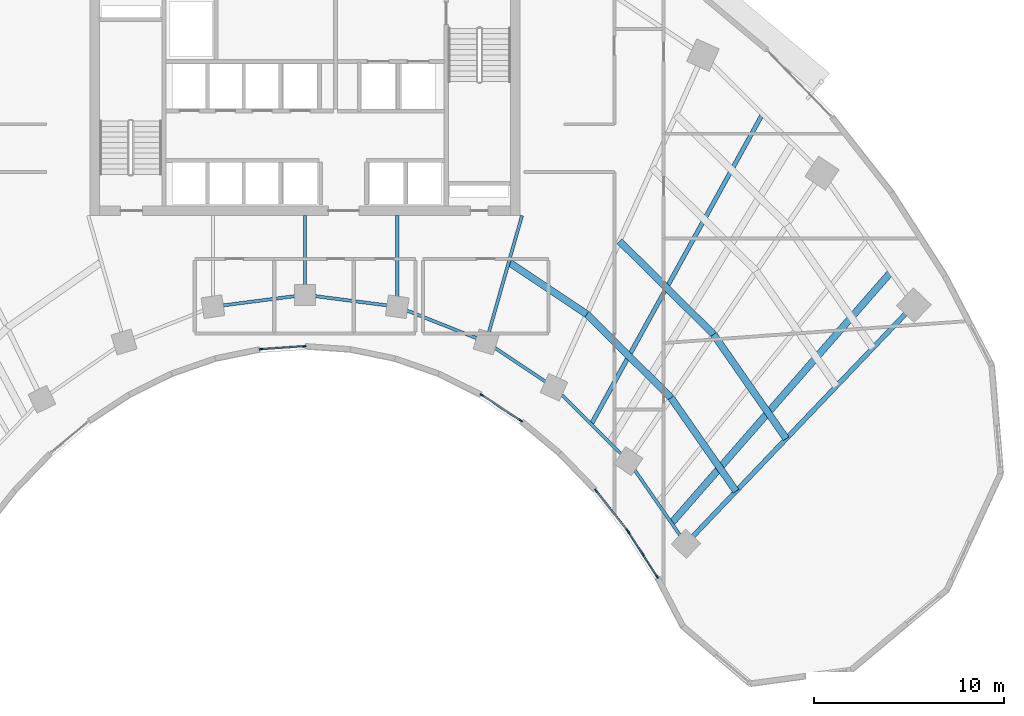
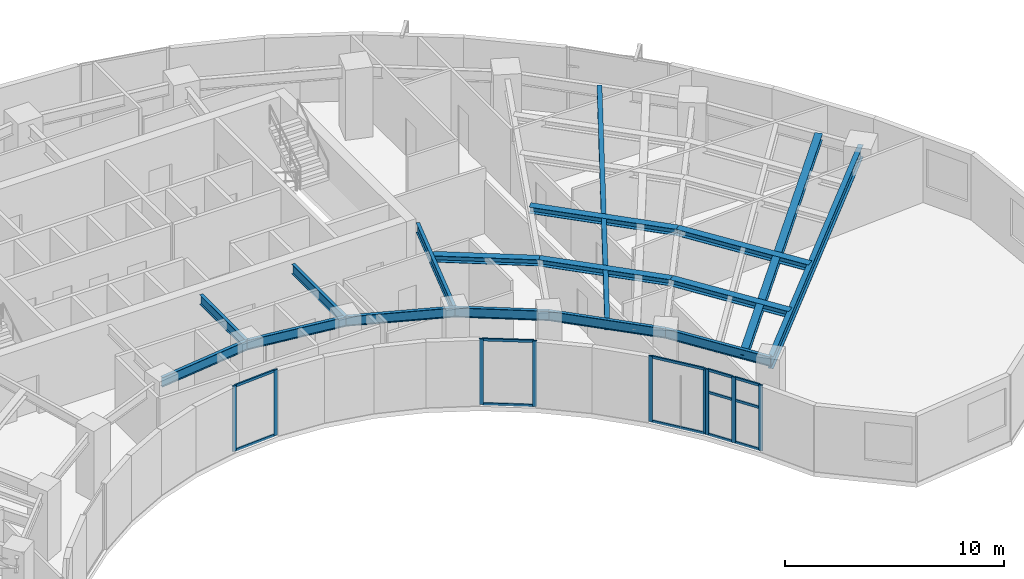
# One storey, part 3 of 13: 21 members, 17 beams, 4 elements without a shape of their own.
"""IFC4 building model written with IfcOpenShell, lengths in metres."""

from ifc_helpers import new_model, si_unit, direction, frame, origin, origin_2d, place, context, subcontext, project, spatial, rectangle, i_section, extrude, source, transform, mapped, material, layer, layer_set, material_profile, profile_set, type_object, type_shapes, element, aggregate, save


model = new_model("IFC4")

# Units and contexts
model_context = context("Model", 3, precision=1e-05, world=origin(), true_north=direction((0.0, 1.0)))
body_context = subcontext(model_context, "Body", "Model", "MODEL_VIEW")
ifc_project = project(units=[si_unit("LENGTHUNIT", "METRE"), si_unit("AREAUNIT", "SQUARE_METRE"), si_unit("VOLUMEUNIT", "CUBIC_METRE"), si_unit("PLANEANGLEUNIT", "RADIAN"), si_unit("MASSUNIT", "GRAM", prefix="KILO")], contexts=[model_context])

# Site, building, storey
site_placement = place(None, origin())
site = spatial("IfcSite", under=ifc_project, at=site_placement, CompositionType="ELEMENT")
building_placement = place(site_placement, origin())
building = spatial("IfcBuilding", under=site, at=building_placement, Name="Breltana Convention Tower", CompositionType="ELEMENT")
storey_placement = place(building_placement, frame((0.0, 0.0, 96.0)))
storey = spatial("IfcBuildingStorey", under=building, at=storey_placement, Name="L22", CompositionType="ELEMENT", Elevation=96.0)

# Beams
ifc_material_1 = material(Name="Steel ASTM A992 Grade 50", Category="steel")
ifc_material_profile_1 = material_profile(ifc_material_1, i_section(OverallWidth=0.25390625, OverallDepth=0.68798828125, WebThickness=0.01318359375, FlangeThickness=0.02099609375, at=origin_2d()), Name="W27X102")
ifc_profile_set_1 = profile_set([ifc_material_profile_1], Name="Steel ASTM A992 Grade 50")
beam_type_1 = type_object("IfcBeamType", Name="BM-RG-W27X102", PredefinedType="USERDEFINED", material=ifc_profile_set_1)
shared_shape_1 = source(origin(), body_context, "Body", "SweptSolid", [
    extrude(i_section(OverallWidth=0.25390625, OverallDepth=0.68798828125, WebThickness=0.01318359375, FlangeThickness=0.02099609375, at=origin_2d()), origin(), (0.0, 0.0, 1.0), 17.341064453125),
])
type_shapes(beam_type_1, [shared_shape_1])
beam_1_placement = place(storey_placement, frame((68.015380859375, 42.95458984375, 3.305908203125), z_axis=(0.690716462293, 0.723125693581, 0.0), x_axis=(-0.723125693581, 0.690716462293, 0.0)))
element("IfcBeam", 1, at=beam_1_placement, inside=storey, type_object=beam_type_1, Name="L22 Radial Floor Girder R11", ObjectType="GIRDER", PredefinedType="USERDEFINED", context=body_context, shape_type="MappedRepresentation", body=[
    mapped(shared_shape_1, transform((0.0, 0.0, 0.0), scale=1.0)),
])
ifc_material_profile_2 = material_profile(ifc_material_1, i_section(OverallWidth=0.166015625, OverallDepth=0.534912109375, WebThickness=0.01025390625, FlangeThickness=0.0166015625, at=origin_2d()), Name="W21X57")
ifc_profile_set_2 = profile_set([ifc_material_profile_2], Name="Steel ASTM A992 Grade 50")
beam_type_2 = type_object("IfcBeamType", Name="BM-BM-W21X57", PredefinedType="BEAM", material=ifc_profile_set_2)
shared_shape_2 = source(origin(), body_context, "Body", "SweptSolid", [
    extrude(i_section(OverallWidth=0.166015625, OverallDepth=0.534912109375, WebThickness=0.01025390625, FlangeThickness=0.0166015625, at=origin_2d()), origin(), (0.0, 0.0, 1.0), 6.904541015625),
])
type_shapes(beam_type_2, [shared_shape_2])
beam_2_placement = place(storey_placement, frame((59.39990234375, 60.199951171875, 3.382568359375), z_axis=(-0.273006781054, -0.962012108811, 0.0), x_axis=(0.962012108811, -0.273006781054, 0.0)))
element("IfcBeam", 2, at=beam_2_placement, inside=storey, type_object=beam_type_2, Name="L22 South Core Tie Girder R08", PredefinedType="BEAM", context=body_context, shape_type="MappedRepresentation", body=[
    mapped(shared_shape_2, transform((0.0, 0.0, 0.0), scale=1.0)),
])
shared_shape_3 = source(origin(), body_context, "Body", "SweptSolid", [
    extrude(i_section(OverallWidth=0.166015625, OverallDepth=0.534912109375, WebThickness=0.01025390625, FlangeThickness=0.0166015625, at=origin_2d()), origin(), (0.0, 0.0, 1.0), 4.789306640625),
])
beam_3_placement = place(storey_placement, frame((52.846435546875, 60.199951171875, 3.382568359375), z_axis=(0.0, -1.0, 0.0), x_axis=(1.0, 0.0, 0.0)))
element("IfcBeam", 3, at=beam_3_placement, inside=storey, type_object=beam_type_2, Name="L22 South Core Tie Girder R07", PredefinedType="BEAM", context=body_context, shape_type="MappedRepresentation", body=[
    mapped(shared_shape_3, transform((0.0, 0.0, 0.0), scale=1.0)),
])
shared_shape_4 = source(origin(), body_context, "Body", "SweptSolid", [
    extrude(i_section(OverallWidth=0.166015625, OverallDepth=0.534912109375, WebThickness=0.01025390625, FlangeThickness=0.0166015625, at=origin_2d()), origin(), (0.0, 0.0, 1.0), 4.1640625),
])
beam_4_placement = place(storey_placement, frame((48.0, 60.199951171875, 3.382568359375), z_axis=(0.0, -1.0, 0.0), x_axis=(1.0, 0.0, 0.0)))
element("IfcBeam", 4, at=beam_4_placement, inside=storey, type_object=beam_type_2, Name="L22 South Core Tie Girder R06", PredefinedType="BEAM", context=body_context, shape_type="MappedRepresentation", body=[
    mapped(shared_shape_4, transform((0.0, 0.0, 0.0), scale=1.0)),
])
shared_shape_5 = source(origin(), body_context, "Body", "SweptSolid", [
    extrude(i_section(OverallWidth=0.166015625, OverallDepth=0.534912109375, WebThickness=0.01025390625, FlangeThickness=0.0166015625, at=origin_2d()), origin(), (0.0, 0.0, 1.0), 5.022705078125),
])
beam_5_placement = place(storey_placement, frame((52.846435546875, 55.41064453125, 3.382568359375), z_axis=(0.929458966248, -0.368925507469, 0.0), x_axis=(0.368925507469, 0.929458966248, 0.0)))
element("IfcBeam", 5, at=beam_5_placement, inside=storey, type_object=beam_type_2, Name="L22 Inner Ring Beam 07", PredefinedType="BEAM", context=body_context, shape_type="MappedRepresentation", body=[
    mapped(shared_shape_5, transform((0.0, 0.0, 0.0), scale=1.0)),
])
shared_shape_6 = source(origin(), body_context, "Body", "SweptSolid", [
    extrude(i_section(OverallWidth=0.166015625, OverallDepth=0.534912109375, WebThickness=0.01025390625, FlangeThickness=0.0166015625, at=origin_2d()), origin(), (0.0, 0.0, 1.0), 4.88671875),
])
for number, where, z_axis, x_axis, name in (
    (6, (43.153564453125, 55.41064453125, 3.382568359375), (0.991780525565, 0.127950729231, 0.0), (-0.127950729231, 0.991780525565, 0.0), "L22 Inner Ring Beam 05"),
    (7, (48.0, 56.035888671875, 3.382568359375), (0.991780525565, -0.127950729231, 0.0), (0.127950729231, 0.991780525565, 0.0), "L22 Inner Ring Beam 06"),
):
    element("IfcBeam", number, at=place(storey_placement, frame(where, z_axis=z_axis, x_axis=x_axis)), inside=storey, type_object=beam_type_2, Name=name, PredefinedType="BEAM", context=body_context, shape_type="MappedRepresentation", body=[
        mapped(shared_shape_6, transform((0.0, 0.0, 0.0), scale=1.0)),
    ])
shared_shape_7 = source(origin(), body_context, "Body", "SweptSolid", [
    extrude(i_section(OverallWidth=0.166015625, OverallDepth=0.534912109375, WebThickness=0.01025390625, FlangeThickness=0.0166015625, at=origin_2d()), origin(), (0.0, 0.0, 1.0), 4.2900390625),
])
beam_6_placement = place(storey_placement, frame((57.514892578125, 53.5576171875, 3.382568359375), z_axis=(0.831515827753, -0.555501060482, 0.0), x_axis=(0.555501060482, 0.831515827753, 0.0)))
element("IfcBeam", 8, at=beam_6_placement, inside=storey, type_object=beam_type_2, Name="L22 Inner Ring Beam 08", PredefinedType="BEAM", context=body_context, shape_type="MappedRepresentation", body=[
    mapped(shared_shape_7, transform((0.0, 0.0, 0.0), scale=1.0)),
])
shared_shape_8 = source(origin(), body_context, "Body", "SweptSolid", [
    extrude(i_section(OverallWidth=0.166015625, OverallDepth=0.534912109375, WebThickness=0.01025390625, FlangeThickness=0.0166015625, at=origin_2d()), origin(), (0.0, 0.0, 1.0), 5.51171875),
])
beam_7_placement = place(storey_placement, frame((61.08203125, 51.174560546875, 3.382568359375), z_axis=(0.710090360749, -0.704110559196, 0.0), x_axis=(0.704110559196, 0.710090360749, 0.0)))
element("IfcBeam", 9, at=beam_7_placement, inside=storey, type_object=beam_type_2, Name="L22 Inner Ring Beam 09", PredefinedType="BEAM", context=body_context, shape_type="MappedRepresentation", body=[
    mapped(shared_shape_8, transform((0.0, 0.0, 0.0), scale=1.0)),
])
shared_shape_9 = source(origin(), body_context, "Body", "SweptSolid", [
    extrude(i_section(OverallWidth=0.166015625, OverallDepth=0.534912109375, WebThickness=0.01025390625, FlangeThickness=0.0166015625, at=origin_2d()), origin(), (0.0, 0.0, 1.0), 5.286376953125),
])
beam_8_placement = place(storey_placement, frame((64.995849609375, 47.293701171875, 3.382568359375), z_axis=(0.571194382458, -0.82081482531, 0.0), x_axis=(0.82081482531, 0.571194382458, 0.0)))
element("IfcBeam", 10, at=beam_8_placement, inside=storey, type_object=beam_type_2, Name="L22 Inner Ring Beam 10", PredefinedType="BEAM", context=body_context, shape_type="MappedRepresentation", body=[
    mapped(shared_shape_9, transform((0.0, 0.0, 0.0), scale=1.0)),
])
ifc_material_profile_3 = material_profile(ifc_material_1, i_section(OverallWidth=0.368896484375, OverallDepth=0.35595703125, WebThickness=0.01123046875, FlangeThickness=0.01806640625, at=origin_2d()), Name="W14X90")
ifc_profile_set_3 = profile_set([ifc_material_profile_3], Name="Steel ASTM A992 Grade 50")
beam_type_3 = type_object("IfcBeamType", Name="BM-JSG-09", PredefinedType="JOIST", material=ifc_profile_set_3)
shared_shape_10 = source(origin(), body_context, "Body", "SweptSolid", [
    extrude(i_section(OverallWidth=0.368896484375, OverallDepth=0.35595703125, WebThickness=0.01123046875, FlangeThickness=0.01806640625, at=origin_2d()), origin(), (0.0, 0.0, 1.0), 4.854736328125),
])
beam_9_placement = place(storey_placement, frame((58.767578125, 57.71240234375, 3.471923828125), z_axis=(0.831485074305, -0.555547091801, 0.0), x_axis=(0.555547091801, 0.831485074305, 0.0)))
element("IfcBeam", 11, at=beam_9_placement, inside=storey, type_object=beam_type_3, Name="L22 Composite Floor Joist 08.1", PredefinedType="JOIST", context=body_context, shape_type="MappedRepresentation", body=[
    mapped(shared_shape_10, transform((0.0, 0.0, 0.0), scale=1.0)),
])
shared_shape_11 = source(origin(), body_context, "Body", "SweptSolid", [
    extrude(i_section(OverallWidth=0.368896484375, OverallDepth=0.35595703125, WebThickness=0.01123046875, FlangeThickness=0.01806640625, at=origin_2d()), origin(), (0.0, 0.0, 1.0), 6.2373046875),
])
beam_10_placement = place(storey_placement, frame((62.80419921875, 55.015380859375, 3.471923828125), z_axis=(0.710114292485, -0.704086423394, 0.0), x_axis=(0.704086423394, 0.710114292485, 0.0)))
element("IfcBeam", 12, at=beam_10_placement, inside=storey, type_object=beam_type_3, Name="L22 Composite Floor Joist 09.1", PredefinedType="JOIST", context=body_context, shape_type="MappedRepresentation", body=[
    mapped(shared_shape_11, transform((0.0, 0.0, 0.0), scale=1.0)),
])
shared_shape_12 = source(origin(), body_context, "Body", "SweptSolid", [
    extrude(i_section(OverallWidth=0.368896484375, OverallDepth=0.35595703125, WebThickness=0.01123046875, FlangeThickness=0.01806640625, at=origin_2d()), origin(), (0.0, 0.0, 1.0), 6.963134765625),
])
beam_11_placement = place(storey_placement, frame((64.526611328125, 58.8564453125, 3.471923828125), z_axis=(0.71009817493, -0.704102678564, 0.0), x_axis=(0.704102678564, 0.71009817493, 0.0)))
element("IfcBeam", 13, at=beam_11_placement, inside=storey, type_object=beam_type_3, Name="L22 Composite Floor Joist 09.2", PredefinedType="JOIST", context=body_context, shape_type="MappedRepresentation", body=[
    mapped(shared_shape_12, transform((0.0, 0.0, 0.0), scale=1.0)),
])
ifc_material_profile_4 = material_profile(ifc_material_1, i_section(OverallWidth=0.22802734375, OverallDepth=0.60791015625, WebThickness=0.01123046875, FlangeThickness=0.017333984375, at=origin_2d()), Name="W24X76")
ifc_profile_set_4 = profile_set([ifc_material_profile_4], Name="Steel ASTM A992 Grade 50")
beam_type_4 = type_object("IfcBeamType", Name="BM-JSG-02", PredefinedType="JOIST", material=ifc_profile_set_4)
shared_shape_13 = source(origin(), body_context, "Body", "SweptSolid", [
    extrude(i_section(OverallWidth=0.22802734375, OverallDepth=0.60791015625, WebThickness=0.01123046875, FlangeThickness=0.017333984375, at=origin_2d()), origin(), (0.0, 0.0, 1.0), 18.617431640625),
])
beam_12_placement = place(storey_placement, frame((63.038818359375, 49.234130859375, 3.345947265625), z_axis=(0.483405602507, 0.875396495004, 0.0), x_axis=(-0.875396495004, 0.483405602507, 0.0)))
element("IfcBeam", 14, at=beam_12_placement, inside=storey, type_object=beam_type_4, Name="L22 Mid-Bay Radial Trimmer 09", PredefinedType="JOIST", context=body_context, shape_type="MappedRepresentation", body=[
    mapped(shared_shape_13, transform((0.0, 0.0, 0.0), scale=1.0)),
])
shared_shape_14 = source(origin(), body_context, "Body", "SweptSolid", [
    extrude(i_section(OverallWidth=0.368896484375, OverallDepth=0.35595703125, WebThickness=0.01123046875, FlangeThickness=0.01806640625, at=origin_2d()), origin(), (0.0, 0.0, 1.0), 5.982421875),
])
beam_13_placement = place(storey_placement, frame((67.2333984375, 50.623779296875, 3.471923828125), z_axis=(0.571211549446, -0.82080287876, 0.0), x_axis=(0.82080287876, 0.571211549446, 0.0)))
element("IfcBeam", 15, at=beam_13_placement, inside=storey, type_object=beam_type_3, Name="L22 Composite Floor Joist 10.1", PredefinedType="JOIST", context=body_context, shape_type="MappedRepresentation", body=[
    mapped(shared_shape_14, transform((0.0, 0.0, 0.0), scale=1.0)),
])
shared_shape_15 = source(origin(), body_context, "Body", "SweptSolid", [
    extrude(i_section(OverallWidth=0.368896484375, OverallDepth=0.35595703125, WebThickness=0.01123046875, FlangeThickness=0.01806640625, at=origin_2d()), origin(), (0.0, 0.0, 1.0), 6.677978515625),
])
beam_14_placement = place(storey_placement, frame((69.47119140625, 53.95361328125, 3.471923828125), z_axis=(0.571193018768, -0.820815774282, 0.0), x_axis=(0.820815774282, 0.571193018768, 0.0)))
element("IfcBeam", 16, at=beam_14_placement, inside=storey, type_object=beam_type_3, Name="L22 Composite Floor Joist 10.2", PredefinedType="JOIST", context=body_context, shape_type="MappedRepresentation", body=[
    mapped(shared_shape_15, transform((0.0, 0.0, 0.0), scale=1.0)),
])
shared_shape_16 = source(origin(), body_context, "Body", "SweptSolid", [
    extrude(i_section(OverallWidth=0.368896484375, OverallDepth=0.35595703125, WebThickness=0.01123046875, FlangeThickness=0.01806640625, at=origin_2d()), origin(), (0.0, 0.0, 1.0), 17.515625),
])
beam_15_placement = place(storey_placement, frame((67.260498046875, 44.03955078125, 3.471923828125), z_axis=(0.658051548324, 0.752972881151, 0.0), x_axis=(-0.752972881151, 0.658051548324, 0.0)))
element("IfcBeam", 17, at=beam_15_placement, inside=storey, type_object=beam_type_3, Name="L22 Quarter-Bay Radial Trimmer 10", PredefinedType="JOIST", context=body_context, shape_type="MappedRepresentation", body=[
    mapped(shared_shape_16, transform((0.0, 0.0, 0.0), scale=1.0)),
])

# Curtain wall, members
ifc_material_2 = material(Name="Aluminium Anodised Bronze Frame", Category="aluminium")
ifc_layer = layer(ifc_material_2, 0.18994140625, Name="Aluminium Anodised Bronze Frame")
ifc_layer_set = layer_set([ifc_layer], Name="Aluminium Anodised Bronze Frame")
curtain_wall_type = type_object("IfcCurtainWallType", Name="CW-SYS-1", PredefinedType="NOTDEFINED", material=ifc_layer_set)
curtain_wall_1_placement = place(storey_placement, origin())
curtain_wall_1 = element("IfcCurtainWall", 18, at=curtain_wall_1_placement, inside=storey, type_object=curtain_wall_type, Name="L22 inner south-court glazing 1", PredefinedType="NOTDEFINED")
ifc_material_3 = material(Name="Aluminium Anodised Bronze", Category="aluminium")
ifc_material_profile_5 = material_profile(ifc_material_3, rectangle(XDim=0.080078125, YDim=0.139892578125, at=origin_2d()), Name="CWT-80X140")
ifc_profile_set_5 = profile_set([ifc_material_profile_5], Name="Aluminium Anodised Bronze")
member_type_1 = type_object("IfcMemberType", Name="CWT-140", PredefinedType="USERDEFINED", material=ifc_profile_set_5)
shared_shape_17 = source(origin(), body_context, "Body", "SweptSolid", [
    extrude(rectangle(XDim=0.080078125, YDim=0.139892578125, at=origin_2d()), origin(), (0.0, 0.0, 1.0), 1.30029296875),
])
member_1_placement = place(storey_placement, frame((66.4794921875, 41.259521484375, 0.0400390625), z_axis=(-0.540188084224, 0.841544314735, 0.0), x_axis=(-0.841544314735, -0.540188084224, 0.0)))
member_1 = element("IfcMember", 19, at=member_1_placement, type_object=member_type_1, Name="CW-01 transom 1.1", ObjectType="TRANSOM", PredefinedType="USERDEFINED", context=body_context, shape_type="MappedRepresentation", body=[
    mapped(shared_shape_17, transform((0.0, 0.0, 0.0), scale=1.0)),
])
member_2_placement = place(storey_placement, frame((66.4794921875, 41.259521484375, 2.37255859375), z_axis=(-0.540188084224, 0.841544314735, 0.0), x_axis=(-0.841544314735, -0.540188084224, 0.0)))
member_2 = element("IfcMember", 20, at=member_2_placement, type_object=member_type_1, Name="CW-01 transom 1.2", ObjectType="TRANSOM", PredefinedType="USERDEFINED", context=body_context, shape_type="MappedRepresentation", body=[
    mapped(shared_shape_17, transform((0.0, 0.0, 0.0), scale=1.0)),
])
member_3_placement = place(storey_placement, frame((66.4794921875, 41.259521484375, 3.610107421875), z_axis=(-0.540188084224, 0.841544314735, 0.0), x_axis=(-0.841544314735, -0.540188084224, 0.0)))
member_3 = element("IfcMember", 21, at=member_3_placement, type_object=member_type_1, Name="CW-01 transom 1.3", ObjectType="TRANSOM", PredefinedType="USERDEFINED", context=body_context, shape_type="MappedRepresentation", body=[
    mapped(shared_shape_17, transform((0.0, 0.0, 0.0), scale=1.0)),
])
shared_shape_18 = source(origin(), body_context, "Body", "SweptSolid", [
    extrude(rectangle(XDim=0.080078125, YDim=0.139892578125, at=origin_2d()), origin(), (0.0, 0.0, 1.0), 1.300048828125),
])
member_4_placement = place(storey_placement, frame((65.73388671875, 42.4208984375, 0.0400390625), z_axis=(-0.540140453972, 0.841574886735, 0.0), x_axis=(-0.841574886735, -0.540140453972, 0.0)))
member_4 = element("IfcMember", 22, at=member_4_placement, type_object=member_type_1, Name="CW-01 transom 2.1", ObjectType="TRANSOM", PredefinedType="USERDEFINED", context=body_context, shape_type="MappedRepresentation", body=[
    mapped(shared_shape_18, transform((0.0, 0.0, 0.0), scale=1.0)),
])
member_5_placement = place(storey_placement, frame((65.73388671875, 42.4208984375, 2.37255859375), z_axis=(-0.540140453972, 0.841574886735, 0.0), x_axis=(-0.841574886735, -0.540140453972, 0.0)))
member_5 = element("IfcMember", 23, at=member_5_placement, type_object=member_type_1, Name="CW-01 transom 2.2", ObjectType="TRANSOM", PredefinedType="USERDEFINED", context=body_context, shape_type="MappedRepresentation", body=[
    mapped(shared_shape_18, transform((0.0, 0.0, 0.0), scale=1.0)),
])
member_6_placement = place(storey_placement, frame((65.73388671875, 42.4208984375, 3.610107421875), z_axis=(-0.540140453972, 0.841574886735, 0.0), x_axis=(-0.841574886735, -0.540140453972, 0.0)))
member_6 = element("IfcMember", 24, at=member_6_placement, type_object=member_type_1, Name="CW-01 transom 2.3", ObjectType="TRANSOM", PredefinedType="USERDEFINED", context=body_context, shape_type="MappedRepresentation", body=[
    mapped(shared_shape_18, transform((0.0, 0.0, 0.0), scale=1.0)),
])

curtain_wall_2_placement = place(storey_placement, origin())
curtain_wall_2 = element("IfcCurtainWall", 25, at=curtain_wall_2_placement, inside=storey, type_object=curtain_wall_type, Name="L22 inner south-court glazing 2", PredefinedType="NOTDEFINED")
shared_shape_19 = source(origin(), body_context, "Body", "SweptSolid", [
    extrude(rectangle(XDim=0.080078125, YDim=0.139892578125, at=origin_2d()), origin(), (0.0, 0.0, 1.0), 2.6005859375),
])
member_7_placement = place(storey_placement, frame((64.928955078125, 43.6591796875, 0.0400390625), z_axis=(-0.618078566977, 0.786116330478, 0.0), x_axis=(-0.786116330478, -0.618078566977, 0.0)))
member_7 = element("IfcMember", 26, at=member_7_placement, type_object=member_type_1, Name="CW-01 transom 1.1", ObjectType="TRANSOM", PredefinedType="USERDEFINED", context=body_context, shape_type="MappedRepresentation", body=[
    mapped(shared_shape_19, transform((0.0, 0.0, 0.0), scale=1.0)),
])
member_8_placement = place(storey_placement, frame((64.928955078125, 43.6591796875, 3.610107421875), z_axis=(-0.618078566977, 0.786116330478, 0.0), x_axis=(-0.786116330478, -0.618078566977, 0.0)))
member_8 = element("IfcMember", 27, at=member_8_placement, type_object=member_type_1, Name="CW-01 transom 1.2", ObjectType="TRANSOM", PredefinedType="USERDEFINED", context=body_context, shape_type="MappedRepresentation", body=[
    mapped(shared_shape_19, transform((0.0, 0.0, 0.0), scale=1.0)),
])

# Member
ifc_material_profile_6 = material_profile(ifc_material_3, rectangle(XDim=0.080078125, YDim=0.199951171875, at=origin_2d()), Name="CWM-80X200")
ifc_profile_set_6 = profile_set([ifc_material_profile_6], Name="Aluminium Anodised Bronze")
member_type_2 = type_object("IfcMemberType", Name="CWM-200", PredefinedType="MULLION", material=ifc_profile_set_6)
shared_shape_20 = source(origin(), body_context, "Body", "SweptSolid", [
    extrude(rectangle(XDim=0.080078125, YDim=0.199951171875, at=origin_2d()), origin(), (0.0, 0.0, 1.0), 3.64990234375),
])
member_9_placement = place(storey_placement, frame((66.5009765625, 41.22607421875, 0.0), z_axis=(0.0, 0.0, 1.0), x_axis=(-0.841551235949, -0.5401773017, 0.0)))
member_9 = element("IfcMember", 28, at=member_9_placement, type_object=member_type_2, Name="CW-01 mullion 1", PredefinedType="MULLION", context=body_context, shape_type="MappedRepresentation", body=[
    mapped(shared_shape_20, transform((0.0, 0.0, 0.0), scale=1.0)),
])

member_10_placement = place(storey_placement, frame((65.755615234375, 42.38720703125, 0.0), z_axis=(0.0, 0.0, 1.0), x_axis=(-0.841551235949, -0.5401773017, 0.0)))
member_10 = element("IfcMember", 29, at=member_10_placement, type_object=member_type_2, Name="CW-01 mullion 2", PredefinedType="MULLION", context=body_context, shape_type="MappedRepresentation", body=[
    mapped(shared_shape_20, transform((0.0, 0.0, 0.0), scale=1.0)),
])

member_11_placement = place(storey_placement, frame((65.010009765625, 43.548583984375, 0.0), z_axis=(0.0, 0.0, 1.0), x_axis=(-0.841551235949, -0.5401773017, 0.0)))
member_11 = element("IfcMember", 30, at=member_11_placement, type_object=member_type_2, Name="CW-01 mullion 3", PredefinedType="MULLION", context=body_context, shape_type="MappedRepresentation", body=[
    mapped(shared_shape_20, transform((0.0, 0.0, 0.0), scale=1.0)),
])

aggregate(curtain_wall_1, [member_9, member_10, member_11, member_1, member_2, member_3, member_4, member_5, member_6])

member_12_placement = place(storey_placement, frame((64.953857421875, 43.6279296875, 0.0), z_axis=(0.0, 0.0, 1.0), x_axis=(-0.786054302547, -0.61815745037, 0.0)))
member_12 = element("IfcMember", 31, at=member_12_placement, type_object=member_type_2, Name="CW-01 mullion 1", PredefinedType="MULLION", context=body_context, shape_type="MappedRepresentation", body=[
    mapped(shared_shape_20, transform((0.0, 0.0, 0.0), scale=1.0)),
])

member_13_placement = place(storey_placement, frame((63.296630859375, 45.73486328125, 0.0), z_axis=(0.0, 0.0, 1.0), x_axis=(-0.786054302547, -0.61815745037, 0.0)))
member_13 = element("IfcMember", 32, at=member_13_placement, type_object=member_type_2, Name="CW-01 mullion 2", PredefinedType="MULLION", context=body_context, shape_type="MappedRepresentation", body=[
    mapped(shared_shape_20, transform((0.0, 0.0, 0.0), scale=1.0)),
])

aggregate(curtain_wall_2, [member_12, member_13, member_7, member_8])

# Curtain wall, members
curtain_wall_3_placement = place(storey_placement, origin())
curtain_wall_3 = element("IfcCurtainWall", 33, at=curtain_wall_3_placement, inside=storey, type_object=curtain_wall_type, Name="L22 inner south-court glazing 3", PredefinedType="NOTDEFINED")
member_14_placement = place(storey_placement, frame((59.337158203125, 49.421142578125, 0.0), z_axis=(0.0, 0.0, 1.0), x_axis=(-0.548778301858, -0.835967927261, 0.0)))
member_14 = element("IfcMember", 34, at=member_14_placement, type_object=member_type_2, Name="CW-01 mullion 1", PredefinedType="MULLION", context=body_context, shape_type="MappedRepresentation", body=[
    mapped(shared_shape_20, transform((0.0, 0.0, 0.0), scale=1.0)),
])
member_15_placement = place(storey_placement, frame((57.291259765625, 50.76416015625, 0.0), z_axis=(0.0, 0.0, 1.0), x_axis=(-0.548778301858, -0.835967927261, 0.0)))
member_15 = element("IfcMember", 35, at=member_15_placement, type_object=member_type_2, Name="CW-01 mullion 2", PredefinedType="MULLION", context=body_context, shape_type="MappedRepresentation", body=[
    mapped(shared_shape_20, transform((0.0, 0.0, 0.0), scale=1.0)),
])

curtain_wall_4_placement = place(storey_placement, origin())
curtain_wall_4 = element("IfcCurtainWall", 36, at=curtain_wall_4_placement, inside=storey, type_object=curtain_wall_type, Name="L22 inner south-court glazing 4", PredefinedType="NOTDEFINED")
member_16_placement = place(storey_placement, frame((47.947998046875, 53.331787109375, 0.0), z_axis=(0.0, 0.0, 1.0), x_axis=(0.067728021582, -0.997703821328, 0.0)))
member_16 = element("IfcMember", 37, at=member_16_placement, type_object=member_type_2, Name="CW-01 mullion 1", PredefinedType="MULLION", context=body_context, shape_type="MappedRepresentation", body=[
    mapped(shared_shape_20, transform((0.0, 0.0, 0.0), scale=1.0)),
])
member_17_placement = place(storey_placement, frame((45.67822265625, 53.177734375, 0.0), z_axis=(0.0, 0.0, 1.0), x_axis=(0.067728021582, -0.997703821328, 0.0)))
member_17 = element("IfcMember", 38, at=member_17_placement, type_object=member_type_2, Name="CW-01 mullion 2", PredefinedType="MULLION", context=body_context, shape_type="MappedRepresentation", body=[
    mapped(shared_shape_20, transform((0.0, 0.0, 0.0), scale=1.0)),
])

# Member
shared_shape_21 = source(origin(), body_context, "Body", "SweptSolid", [
    extrude(rectangle(XDim=0.080078125, YDim=0.139892578125, at=origin_2d()), origin(), (0.0, 0.0, 1.0), 2.3671875),
])
member_18_placement = place(storey_placement, frame((59.3037109375, 49.443115234375, 0.0400390625), z_axis=(-0.835979901311, 0.548760061051, 0.0), x_axis=(-0.548760061051, -0.835979901311, 0.0)))
member_18 = element("IfcMember", 39, at=member_18_placement, type_object=member_type_1, Name="CW-01 transom 1.1", ObjectType="TRANSOM", PredefinedType="USERDEFINED", context=body_context, shape_type="MappedRepresentation", body=[
    mapped(shared_shape_21, transform((0.0, 0.0, 0.0), scale=1.0)),
])

member_19_placement = place(storey_placement, frame((59.3037109375, 49.443115234375, 3.610107421875), z_axis=(-0.835979901311, 0.548760061051, 0.0), x_axis=(-0.548760061051, -0.835979901311, 0.0)))
member_19 = element("IfcMember", 40, at=member_19_placement, type_object=member_type_1, Name="CW-01 transom 1.2", ObjectType="TRANSOM", PredefinedType="USERDEFINED", context=body_context, shape_type="MappedRepresentation", body=[
    mapped(shared_shape_21, transform((0.0, 0.0, 0.0), scale=1.0)),
])

aggregate(curtain_wall_3, [member_14, member_15, member_18, member_19])

shared_shape_22 = source(origin(), body_context, "Body", "SweptSolid", [
    extrude(rectangle(XDim=0.080078125, YDim=0.139892578125, at=origin_2d()), origin(), (0.0, 0.0, 1.0), 2.195068359375),
])
member_20_placement = place(storey_placement, frame((47.907958984375, 53.3291015625, 0.0400390625), z_axis=(-0.99770320904, -0.067737040614, 0.0), x_axis=(0.067737040614, -0.99770320904, 0.0)))
member_20 = element("IfcMember", 41, at=member_20_placement, type_object=member_type_1, Name="CW-01 transom 1.1", ObjectType="TRANSOM", PredefinedType="USERDEFINED", context=body_context, shape_type="MappedRepresentation", body=[
    mapped(shared_shape_22, transform((0.0, 0.0, 0.0), scale=1.0)),
])

member_21_placement = place(storey_placement, frame((47.907958984375, 53.3291015625, 3.610107421875), z_axis=(-0.99770320904, -0.067737040614, 0.0), x_axis=(0.067737040614, -0.99770320904, 0.0)))
member_21 = element("IfcMember", 42, at=member_21_placement, type_object=member_type_1, Name="CW-01 transom 1.2", ObjectType="TRANSOM", PredefinedType="USERDEFINED", context=body_context, shape_type="MappedRepresentation", body=[
    mapped(shared_shape_22, transform((0.0, 0.0, 0.0), scale=1.0)),
])

aggregate(curtain_wall_4, [member_16, member_17, member_20, member_21])

save(model, "model.ifc")
